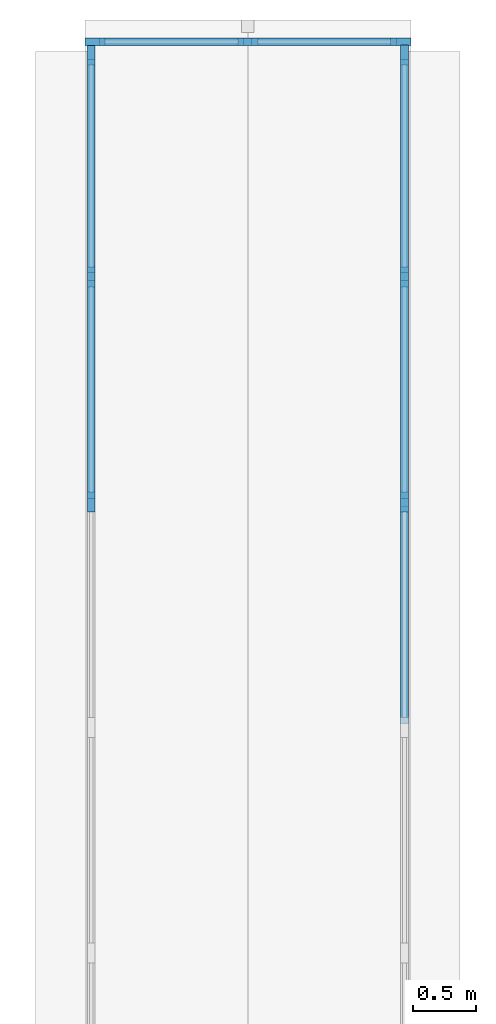
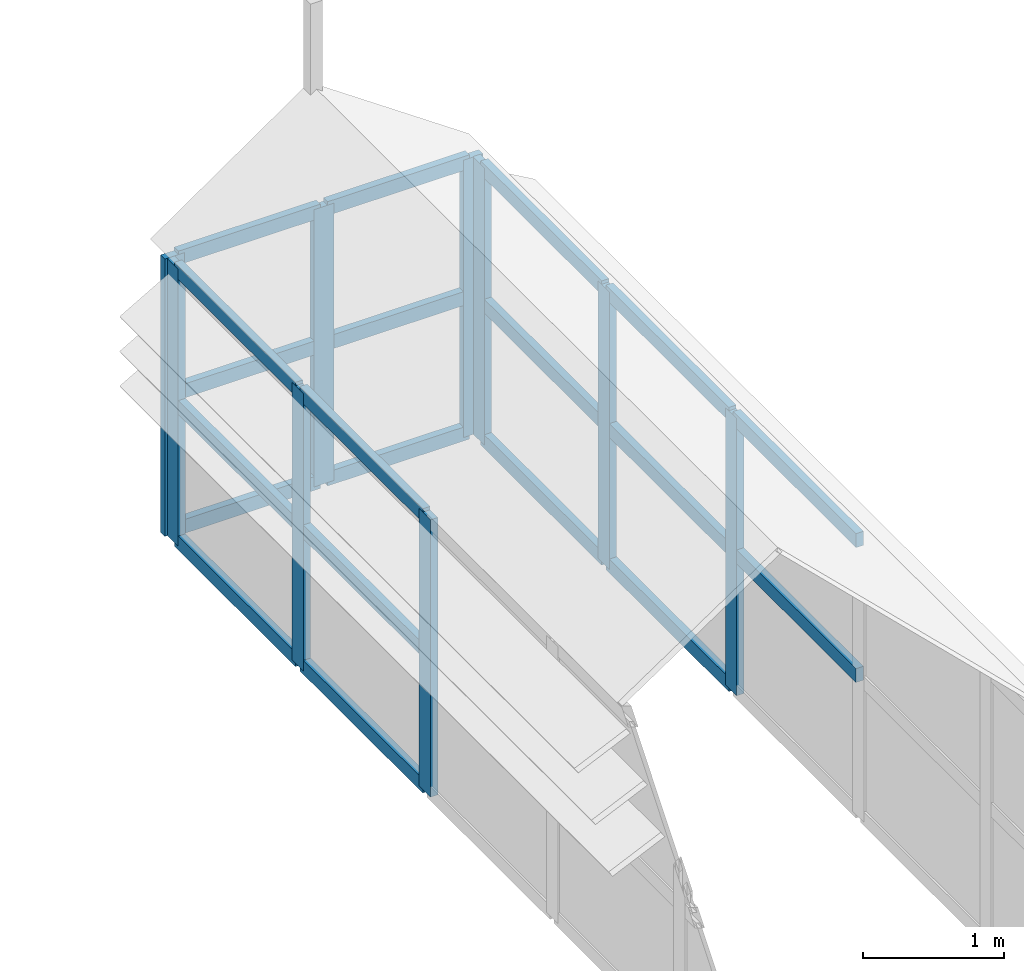
# One storey, part 8 of 28: 29 members, 3 elements without a shape of their own.
"""IFC4 building model written with IfcOpenShell, lengths in metres."""

from ifc_helpers import new_model, si_unit, direction, frame, origin, origin_2d, place, context, subcontext, project, spatial, rectangle, extrude, material, layer, layer_set, material_profile, profile_set, type_object, element, aggregate, save


model = new_model("IFC4")

# Units and contexts
model_context = context("Model", 3, precision=1e-05, world=origin(), true_north=direction((0.0, 1.0)))
body_context = subcontext(model_context, "Body", "Model", "MODEL_VIEW")
ifc_project = project(units=[si_unit("LENGTHUNIT", "METRE"), si_unit("AREAUNIT", "SQUARE_METRE"), si_unit("VOLUMEUNIT", "CUBIC_METRE"), si_unit("PLANEANGLEUNIT", "RADIAN"), si_unit("MASSUNIT", "GRAM", prefix="KILO")], contexts=[model_context])

# Site, building, storey
site_placement = place(None, origin())
site = spatial("IfcSite", under=ifc_project, at=site_placement, CompositionType="ELEMENT")
building_placement = place(site_placement, origin())
building = spatial("IfcBuilding", under=site, at=building_placement, Name="Mazhai Court Health Centre", CompositionType="ELEMENT")
storey_placement = place(building_placement, frame((0.0, 0.0, 18.0)))
storey = spatial("IfcBuildingStorey", under=building, at=storey_placement, Name="RF", CompositionType="ELEMENT", Elevation=18.0)

# Curtain wall, members
ifc_material_1 = material(Name="Teak timber frame, glazed", Category="wood")
ifc_layer_1 = layer(ifc_material_1, 0.10009765625)
ifc_layer_set_1 = layer_set([ifc_layer_1], Name="CURTAIN WALL TIMBER 1800")
curtain_wall_type_1 = type_object("IfcCurtainWallType", Name="CURTAIN WALL TIMBER 1800", PredefinedType="NOTDEFINED", material=ifc_layer_set_1)
curtain_wall_1_placement = place(storey_placement, origin())
curtain_wall_1 = element("IfcCurtainWall", 1, at=curtain_wall_1_placement, inside=storey, type_object=curtain_wall_type_1, Name="CW-V1-LSW", PredefinedType="NOTDEFINED")
ifc_material_2 = material(Name="Teak timber", Category="wood")
ifc_material_profile_1 = material_profile(ifc_material_2, rectangle(XDim=0.06005859375, YDim=0.159912109375, at=origin_2d()), Name="CW MULLION 60x160")
ifc_profile_set_1 = profile_set([ifc_material_profile_1], Name="Teak timber")
member_type_1 = type_object("IfcMemberType", Name="CW MULLION 60x160", PredefinedType="MULLION", material=ifc_profile_set_1)
member_1_placement = place(storey_placement, frame((51.75, 54.60009765625, 0.783935546875), z_axis=(0.0, 0.0, 1.0), x_axis=(-1.0, 0.0, 0.0)))
member_1 = element("IfcMember", 2, at=member_1_placement, type_object=member_type_1, Name="CW mullion 25", PredefinedType="MULLION", context=body_context, shape_type="SweptSolid", body=[
    extrude(rectangle(XDim=0.06005859375, YDim=0.159912109375, at=origin_2d()), origin(), (0.0, 0.0, 1.0), 2.39501953125),
])
member_2_placement = place(storey_placement, frame((51.75, 56.39990234375, 0.783935546875), z_axis=(0.0, 0.0, 1.0), x_axis=(-1.0, 0.0, 0.0)))
member_2 = element("IfcMember", 3, at=member_2_placement, type_object=member_type_1, Name="CW mullion 26", PredefinedType="MULLION", context=body_context, shape_type="SweptSolid", body=[
    extrude(rectangle(XDim=0.06005859375, YDim=0.159912109375, at=origin_2d()), origin(), (0.0, 0.0, 1.0), 2.39501953125),
])
member_3_placement = place(storey_placement, frame((51.75, 58.169921875, 0.783935546875), z_axis=(0.0, 0.0, 1.0), x_axis=(-1.0, 0.0, 0.0)))
member_3 = element("IfcMember", 4, at=member_3_placement, type_object=member_type_1, Name="CW mullion 27", PredefinedType="MULLION", context=body_context, shape_type="SweptSolid", body=[
    extrude(rectangle(XDim=0.06005859375, YDim=0.159912109375, at=origin_2d()), origin(), (0.0, 0.0, 1.0), 2.39501953125),
])

curtain_wall_2_placement = place(storey_placement, origin())
curtain_wall_2 = element("IfcCurtainWall", 5, at=curtain_wall_2_placement, inside=storey, type_object=curtain_wall_type_1, Name="CW-V1-LSE", PredefinedType="NOTDEFINED")
member_4_placement = place(storey_placement, frame((54.25, 58.169921875, 0.783935546875), z_axis=(0.0, 0.0, 1.0), x_axis=(1.0, 0.0, 0.0)))
member_4 = element("IfcMember", 6, at=member_4_placement, type_object=member_type_1, Name="CW mullion 1", PredefinedType="MULLION", context=body_context, shape_type="SweptSolid", body=[
    extrude(rectangle(XDim=0.06005859375, YDim=0.159912109375, at=origin_2d()), origin(), (0.0, 0.0, 1.0), 2.39501953125),
])
member_5_placement = place(storey_placement, frame((54.25, 56.39990234375, 0.783935546875), z_axis=(0.0, 0.0, 1.0), x_axis=(1.0, 0.0, 0.0)))
member_5 = element("IfcMember", 7, at=member_5_placement, type_object=member_type_1, Name="CW mullion 2", PredefinedType="MULLION", context=body_context, shape_type="SweptSolid", body=[
    extrude(rectangle(XDim=0.06005859375, YDim=0.159912109375, at=origin_2d()), origin(), (0.0, 0.0, 1.0), 2.39501953125),
])
member_6_placement = place(storey_placement, frame((54.25, 54.60009765625, 0.783935546875), z_axis=(0.0, 0.0, 1.0), x_axis=(1.0, 0.0, 0.0)))
member_6 = element("IfcMember", 8, at=member_6_placement, type_object=member_type_1, Name="CW mullion 3", PredefinedType="MULLION", context=body_context, shape_type="SweptSolid", body=[
    extrude(rectangle(XDim=0.06005859375, YDim=0.159912109375, at=origin_2d()), origin(), (0.0, 0.0, 1.0), 2.39501953125),
])

ifc_material_3 = material(Name="Teak timber frame, glazed", Category="wood")
ifc_layer_2 = layer(ifc_material_3, 0.10009765625)
ifc_layer_set_2 = layer_set([ifc_layer_2], Name="CURTAIN WALL TIMBER 1200")
curtain_wall_type_2 = type_object("IfcCurtainWallType", Name="CURTAIN WALL TIMBER 1200", PredefinedType="NOTDEFINED", material=ifc_layer_set_2)
curtain_wall_3_placement = place(storey_placement, origin())
curtain_wall_3 = element("IfcCurtainWall", 9, at=curtain_wall_3_placement, inside=storey, type_object=curtain_wall_type_2, Name="CW-V1-LCN", PredefinedType="NOTDEFINED")
member_7_placement = place(storey_placement, frame((51.780029296875, 58.27490234375, 0.783935546875), z_axis=(0.0, 0.0, 1.0), x_axis=(0.0, 1.0, 0.0)))
member_7 = element("IfcMember", 10, at=member_7_placement, type_object=member_type_1, Name="CW mullion 1", PredefinedType="MULLION", context=body_context, shape_type="SweptSolid", body=[
    extrude(rectangle(XDim=0.06005859375, YDim=0.159912109375, at=origin_2d()), origin(), (0.0, 0.0, 1.0), 2.39501953125),
])
member_8_placement = place(storey_placement, frame((53.0, 58.27490234375, 0.783935546875), z_axis=(0.0, 0.0, 1.0), x_axis=(0.0, 1.0, 0.0)))
member_8 = element("IfcMember", 11, at=member_8_placement, type_object=member_type_1, Name="CW mullion 2", PredefinedType="MULLION", context=body_context, shape_type="SweptSolid", body=[
    extrude(rectangle(XDim=0.06005859375, YDim=0.159912109375, at=origin_2d()), origin(), (0.0, 0.0, 1.0), 2.39501953125),
])
member_9_placement = place(storey_placement, frame((54.219970703125, 58.27490234375, 0.783935546875), z_axis=(0.0, 0.0, 1.0), x_axis=(0.0, 1.0, 0.0)))
member_9 = element("IfcMember", 12, at=member_9_placement, type_object=member_type_1, Name="CW mullion 3", PredefinedType="MULLION", context=body_context, shape_type="SweptSolid", body=[
    extrude(rectangle(XDim=0.06005859375, YDim=0.159912109375, at=origin_2d()), origin(), (0.0, 0.0, 1.0), 2.39501953125),
])

# Member
ifc_material_4 = material(Name="Teak timber", Category="wood")
ifc_material_profile_2 = material_profile(ifc_material_4, rectangle(XDim=0.06005859375, YDim=0.1201171875, at=origin_2d()), Name="CW TRANSOM 60x120")
ifc_profile_set_2 = profile_set([ifc_material_profile_2], Name="Teak timber")
member_type_2 = type_object("IfcMemberType", Name="CW TRANSOM 60x120", PredefinedType="USERDEFINED", material=ifc_profile_set_2)
member_10_placement = place(storey_placement, frame((51.75, 54.6298828125, 0.81396484375), z_axis=(0.0, 1.0, 0.0), x_axis=(-1.0, 0.0, 0.0)))
member_10 = element("IfcMember", 13, at=member_10_placement, type_object=member_type_2, Name="CW transom 25.1", ObjectType="TRANSOM", PredefinedType="USERDEFINED", context=body_context, shape_type="SweptSolid", body=[
    extrude(rectangle(XDim=0.06005859375, YDim=0.1201171875, at=origin_2d()), origin(), (0.0, 0.0, 1.0), 1.740234375),
])

member_11_placement = place(storey_placement, frame((51.75, 54.6298828125, 1.98388671875), z_axis=(0.0, 1.0, 0.0), x_axis=(-1.0, 0.0, 0.0)))
member_11 = element("IfcMember", 14, at=member_11_placement, type_object=member_type_2, Name="CW transom 25.2", ObjectType="TRANSOM", PredefinedType="USERDEFINED", context=body_context, shape_type="SweptSolid", body=[
    extrude(rectangle(XDim=0.06005859375, YDim=0.1201171875, at=origin_2d()), origin(), (0.0, 0.0, 1.0), 1.740234375),
])

member_12_placement = place(storey_placement, frame((51.75, 54.6298828125, 3.14892578125), z_axis=(0.0, 1.0, 0.0), x_axis=(-1.0, 0.0, 0.0)))
member_12 = element("IfcMember", 15, at=member_12_placement, type_object=member_type_2, Name="CW transom 25.3", ObjectType="TRANSOM", PredefinedType="USERDEFINED", context=body_context, shape_type="SweptSolid", body=[
    extrude(rectangle(XDim=0.06005859375, YDim=0.1201171875, at=origin_2d()), origin(), (0.0, 0.0, 1.0), 1.740234375),
])

member_13_placement = place(storey_placement, frame((51.75, 56.429931640625, 0.81396484375), z_axis=(0.0, 1.0, 0.0), x_axis=(-1.0, 0.0, 0.0)))
member_13 = element("IfcMember", 16, at=member_13_placement, type_object=member_type_2, Name="CW transom 26.1", ObjectType="TRANSOM", PredefinedType="USERDEFINED", context=body_context, shape_type="SweptSolid", body=[
    extrude(rectangle(XDim=0.06005859375, YDim=0.1201171875, at=origin_2d()), origin(), (0.0, 0.0, 1.0), 1.7099609375),
])

member_14_placement = place(storey_placement, frame((51.75, 56.429931640625, 1.98388671875), z_axis=(0.0, 1.0, 0.0), x_axis=(-1.0, 0.0, 0.0)))
member_14 = element("IfcMember", 17, at=member_14_placement, type_object=member_type_2, Name="CW transom 26.2", ObjectType="TRANSOM", PredefinedType="USERDEFINED", context=body_context, shape_type="SweptSolid", body=[
    extrude(rectangle(XDim=0.06005859375, YDim=0.1201171875, at=origin_2d()), origin(), (0.0, 0.0, 1.0), 1.7099609375),
])

member_15_placement = place(storey_placement, frame((51.75, 56.429931640625, 3.14892578125), z_axis=(0.0, 1.0, 0.0), x_axis=(-1.0, 0.0, 0.0)))
member_15 = element("IfcMember", 18, at=member_15_placement, type_object=member_type_2, Name="CW transom 26.3", ObjectType="TRANSOM", PredefinedType="USERDEFINED", context=body_context, shape_type="SweptSolid", body=[
    extrude(rectangle(XDim=0.06005859375, YDim=0.1201171875, at=origin_2d()), origin(), (0.0, 0.0, 1.0), 1.7099609375),
])

aggregate(curtain_wall_1, [member_1, member_2, member_3, member_10, member_11, member_12, member_13, member_14, member_15])

member_16_placement = place(storey_placement, frame((54.25, 58.139892578125, 0.81396484375), z_axis=(0.0, -1.0, 0.0), x_axis=(1.0, 0.0, 0.0)))
member_16 = element("IfcMember", 19, at=member_16_placement, type_object=member_type_2, Name="CW transom 1.1", ObjectType="TRANSOM", PredefinedType="USERDEFINED", context=body_context, shape_type="SweptSolid", body=[
    extrude(rectangle(XDim=0.06005859375, YDim=0.1201171875, at=origin_2d()), origin(), (0.0, 0.0, 1.0), 1.7099609375),
])

member_17_placement = place(storey_placement, frame((54.25, 58.139892578125, 1.98388671875), z_axis=(0.0, -1.0, 0.0), x_axis=(1.0, 0.0, 0.0)))
member_17 = element("IfcMember", 20, at=member_17_placement, type_object=member_type_2, Name="CW transom 1.2", ObjectType="TRANSOM", PredefinedType="USERDEFINED", context=body_context, shape_type="SweptSolid", body=[
    extrude(rectangle(XDim=0.06005859375, YDim=0.1201171875, at=origin_2d()), origin(), (0.0, 0.0, 1.0), 1.7099609375),
])

member_18_placement = place(storey_placement, frame((54.25, 58.139892578125, 3.14892578125), z_axis=(0.0, -1.0, 0.0), x_axis=(1.0, 0.0, 0.0)))
member_18 = element("IfcMember", 21, at=member_18_placement, type_object=member_type_2, Name="CW transom 1.3", ObjectType="TRANSOM", PredefinedType="USERDEFINED", context=body_context, shape_type="SweptSolid", body=[
    extrude(rectangle(XDim=0.06005859375, YDim=0.1201171875, at=origin_2d()), origin(), (0.0, 0.0, 1.0), 1.7099609375),
])

member_19_placement = place(storey_placement, frame((54.25, 56.3701171875, 0.81396484375), z_axis=(0.0, -1.0, 0.0), x_axis=(1.0, 0.0, 0.0)))
member_19 = element("IfcMember", 22, at=member_19_placement, type_object=member_type_2, Name="CW transom 2.1", ObjectType="TRANSOM", PredefinedType="USERDEFINED", context=body_context, shape_type="SweptSolid", body=[
    extrude(rectangle(XDim=0.06005859375, YDim=0.1201171875, at=origin_2d()), origin(), (0.0, 0.0, 1.0), 1.740234375),
])

member_20_placement = place(storey_placement, frame((54.25, 56.3701171875, 1.98388671875), z_axis=(0.0, -1.0, 0.0), x_axis=(1.0, 0.0, 0.0)))
member_20 = element("IfcMember", 23, at=member_20_placement, type_object=member_type_2, Name="CW transom 2.2", ObjectType="TRANSOM", PredefinedType="USERDEFINED", context=body_context, shape_type="SweptSolid", body=[
    extrude(rectangle(XDim=0.06005859375, YDim=0.1201171875, at=origin_2d()), origin(), (0.0, 0.0, 1.0), 1.740234375),
])

member_21_placement = place(storey_placement, frame((54.25, 56.3701171875, 3.14892578125), z_axis=(0.0, -1.0, 0.0), x_axis=(1.0, 0.0, 0.0)))
member_21 = element("IfcMember", 24, at=member_21_placement, type_object=member_type_2, Name="CW transom 2.3", ObjectType="TRANSOM", PredefinedType="USERDEFINED", context=body_context, shape_type="SweptSolid", body=[
    extrude(rectangle(XDim=0.06005859375, YDim=0.1201171875, at=origin_2d()), origin(), (0.0, 0.0, 1.0), 1.740234375),
])

member_22_placement = place(storey_placement, frame((54.25, 54.570068359375, 1.98388671875), z_axis=(0.0, -1.0, 0.0), x_axis=(1.0, 0.0, 0.0)))
member_22 = element("IfcMember", 25, at=member_22_placement, type_object=member_type_2, Name="CW transom 3.2", ObjectType="TRANSOM", PredefinedType="USERDEFINED", context=body_context, shape_type="SweptSolid", body=[
    extrude(rectangle(XDim=0.06005859375, YDim=0.1201171875, at=origin_2d()), origin(), (0.0, 0.0, 1.0), 1.739990234375),
])

member_23_placement = place(storey_placement, frame((54.25, 54.570068359375, 3.14892578125), z_axis=(0.0, -1.0, 0.0), x_axis=(1.0, 0.0, 0.0)))
member_23 = element("IfcMember", 26, at=member_23_placement, type_object=member_type_2, Name="CW transom 3.3", ObjectType="TRANSOM", PredefinedType="USERDEFINED", context=body_context, shape_type="SweptSolid", body=[
    extrude(rectangle(XDim=0.06005859375, YDim=0.1201171875, at=origin_2d()), origin(), (0.0, 0.0, 1.0), 1.739990234375),
])

aggregate(curtain_wall_2, [member_4, member_5, member_6, member_16, member_17, member_18, member_19, member_20, member_21, member_22, member_23])

member_24_placement = place(storey_placement, frame((51.81005859375, 58.27490234375, 0.81396484375), z_axis=(1.0, 0.0, 0.0), x_axis=(0.0, 1.0, 0.0)))
member_24 = element("IfcMember", 27, at=member_24_placement, type_object=member_type_2, Name="CW transom 1.1", ObjectType="TRANSOM", PredefinedType="USERDEFINED", context=body_context, shape_type="SweptSolid", body=[
    extrude(rectangle(XDim=0.06005859375, YDim=0.1201171875, at=origin_2d()), origin(), (0.0, 0.0, 1.0), 1.159912109375),
])

member_25_placement = place(storey_placement, frame((51.81005859375, 58.27490234375, 1.98388671875), z_axis=(1.0, 0.0, 0.0), x_axis=(0.0, 1.0, 0.0)))
member_25 = element("IfcMember", 28, at=member_25_placement, type_object=member_type_2, Name="CW transom 1.2", ObjectType="TRANSOM", PredefinedType="USERDEFINED", context=body_context, shape_type="SweptSolid", body=[
    extrude(rectangle(XDim=0.06005859375, YDim=0.1201171875, at=origin_2d()), origin(), (0.0, 0.0, 1.0), 1.159912109375),
])

member_26_placement = place(storey_placement, frame((51.81005859375, 58.27490234375, 3.14892578125), z_axis=(1.0, 0.0, 0.0), x_axis=(0.0, 1.0, 0.0)))
member_26 = element("IfcMember", 29, at=member_26_placement, type_object=member_type_2, Name="CW transom 1.3", ObjectType="TRANSOM", PredefinedType="USERDEFINED", context=body_context, shape_type="SweptSolid", body=[
    extrude(rectangle(XDim=0.06005859375, YDim=0.1201171875, at=origin_2d()), origin(), (0.0, 0.0, 1.0), 1.159912109375),
])

member_27_placement = place(storey_placement, frame((53.030029296875, 58.27490234375, 0.81396484375), z_axis=(1.0, 0.0, 0.0), x_axis=(0.0, 1.0, 0.0)))
member_27 = element("IfcMember", 30, at=member_27_placement, type_object=member_type_2, Name="CW transom 2.1", ObjectType="TRANSOM", PredefinedType="USERDEFINED", context=body_context, shape_type="SweptSolid", body=[
    extrude(rectangle(XDim=0.06005859375, YDim=0.1201171875, at=origin_2d()), origin(), (0.0, 0.0, 1.0), 1.159912109375),
])

member_28_placement = place(storey_placement, frame((53.030029296875, 58.27490234375, 1.98388671875), z_axis=(1.0, 0.0, 0.0), x_axis=(0.0, 1.0, 0.0)))
member_28 = element("IfcMember", 31, at=member_28_placement, type_object=member_type_2, Name="CW transom 2.2", ObjectType="TRANSOM", PredefinedType="USERDEFINED", context=body_context, shape_type="SweptSolid", body=[
    extrude(rectangle(XDim=0.06005859375, YDim=0.1201171875, at=origin_2d()), origin(), (0.0, 0.0, 1.0), 1.159912109375),
])

member_29_placement = place(storey_placement, frame((53.030029296875, 58.27490234375, 3.14892578125), z_axis=(1.0, 0.0, 0.0), x_axis=(0.0, 1.0, 0.0)))
member_29 = element("IfcMember", 32, at=member_29_placement, type_object=member_type_2, Name="CW transom 2.3", ObjectType="TRANSOM", PredefinedType="USERDEFINED", context=body_context, shape_type="SweptSolid", body=[
    extrude(rectangle(XDim=0.06005859375, YDim=0.1201171875, at=origin_2d()), origin(), (0.0, 0.0, 1.0), 1.159912109375),
])

aggregate(curtain_wall_3, [member_7, member_8, member_9, member_24, member_25, member_26, member_27, member_28, member_29])

save(model, "model.ifc")
